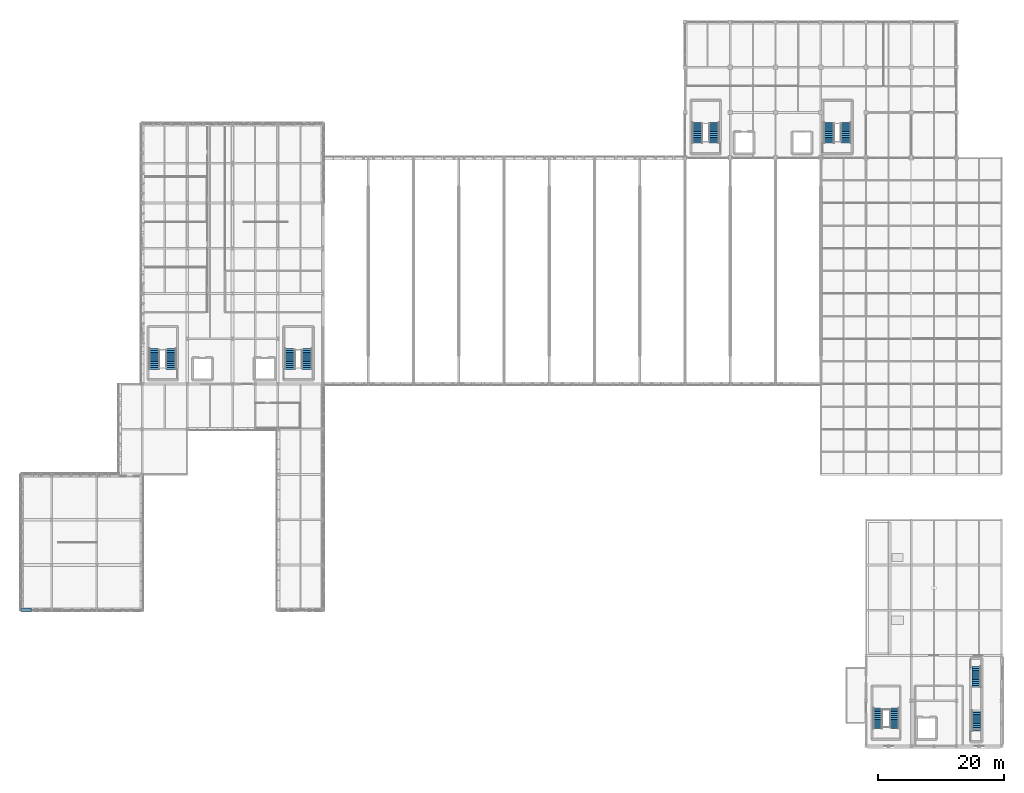
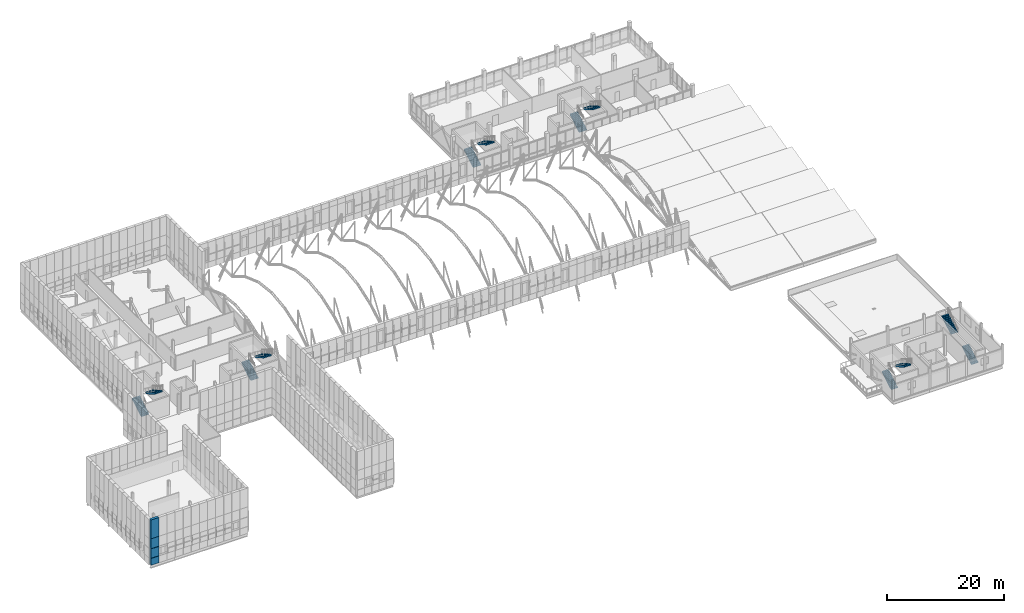
# One storey, part 106 of 144: 12 stair flights, 4 discrete accessories, 6 elements without a shape of their own.
"""IFC4 building model written with IfcOpenShell, lengths in metres."""

from ifc_helpers import new_model, si_unit, direction, frame, origin, origin_2d, place, context, subcontext, project, spatial, polyline, rectangle, outline, extrude, material, type_object, element, aggregate, save


model = new_model("IFC4")

# Units and contexts
model_context = context("Model", 3, precision=1e-05, world=origin(), true_north=direction((0.0, 1.0)))
body_context = subcontext(model_context, "Body", "Model", "MODEL_VIEW")
ifc_project = project(units=[si_unit("LENGTHUNIT", "METRE"), si_unit("AREAUNIT", "SQUARE_METRE"), si_unit("VOLUMEUNIT", "CUBIC_METRE"), si_unit("PLANEANGLEUNIT", "RADIAN"), si_unit("MASSUNIT", "GRAM", prefix="KILO")], contexts=[model_context])

# Site, building, storey
site_placement = place(None, origin())
site = spatial("IfcSite", under=ifc_project, at=site_placement, CompositionType="ELEMENT")
building_placement = place(site_placement, origin())
building = spatial("IfcBuilding", under=site, at=building_placement, Name="Yarey Park Central Fire Station", CompositionType="ELEMENT")
storey_placement = place(building_placement, frame((0.0, 0.0, 10.199951171875)))
storey = spatial("IfcBuildingStorey", under=building, at=storey_placement, Name="L03", CompositionType="ELEMENT", Elevation=10.199951171875)

# Stair, stair flights
ifc_material_1 = material(Name="Concrete C40/50", Category="concrete")
stair_type_1 = type_object("IfcStairType", Name="INT_ST_2RUN_130_H42", PredefinedType="USERDEFINED", material=ifc_material_1)
stair_1_placement = place(storey_placement, origin())
stair_1 = element("IfcStair", 1, at=stair_1_placement, inside=storey, type_object=stair_type_1, Name="Exit Stair ST-5 L03", ObjectType="TWO_RUN_STAIR", PredefinedType="USERDEFINED")
stair_flight_type_1 = type_object("IfcStairFlightType", Name="INT_FLT_130_12", PredefinedType="STRAIGHT", material=ifc_material_1)
stair_flight_1_placement = place(storey_placement, frame((145.89990234375, 2.75, 0.0), z_axis=(0.0, 0.0, 1.0), x_axis=(0.0, 1.0, 0.0)))
stair_flight_1 = element("IfcStairFlight", 2, at=stair_flight_1_placement, type_object=stair_flight_type_1, Name="STAIR_C5_L03_F1", NumberOfRisers=12, NumberOfTreads=11, PredefinedType="STRAIGHT", RiserHeight=0.175, TreadLength=0.3, context=body_context, shape_type="SweptSolid", body=[
    extrude(outline(polyline([(0.0, 0.0), (0.0, 0.175048828125), (0.300048828125, 0.175048828125), (0.300048828125, 0.35009765625), (0.60009765625, 0.35009765625), (0.60009765625, 0.52490234375), (0.89990234375, 0.52490234375), (0.89990234375, 0.699951171875), (1.199951171875, 0.699951171875), (1.199951171875, 0.875), (1.5, 0.875), (1.5, 1.050048828125), (1.800048828125, 1.050048828125), (1.800048828125, 1.22509765625), (2.10009765625, 1.22509765625), (2.10009765625, 1.39990234375), (2.39990234375, 1.39990234375), (2.39990234375, 1.574951171875), (2.699951171875, 1.574951171875), (2.699951171875, 1.75), (3.0, 1.75), (3.0, 1.925048828125), (3.300048828125, 1.925048828125), (3.300048828125, 2.10009765625), (3.300048828125, 1.67041015625), (0.4365234375, 0.0), (0.0, 0.0)])), frame((0.0, 0.64990234375, 0.0), z_axis=(0.0, -1.0, 0.0), x_axis=(1.0, 0.0, 0.0)), (0.0, 0.0, 1.0), 1.300048828125),
])
stair_flight_2_placement = place(storey_placement, frame((148.5, 6.050048828125, 2.10009765625), z_axis=(0.0, 0.0, 1.0), x_axis=(0.0, -1.0, 0.0)))
stair_flight_2 = element("IfcStairFlight", 3, at=stair_flight_2_placement, type_object=stair_flight_type_1, Name="STAIR_C5_L03_F2", NumberOfRisers=12, NumberOfTreads=11, PredefinedType="STRAIGHT", RiserHeight=0.175, TreadLength=0.3, context=body_context, shape_type="SweptSolid", body=[
    extrude(outline(polyline([(0.0, 0.0), (0.0, 0.175048828125), (0.300048828125, 0.175048828125), (0.300048828125, 0.35009765625), (0.60009765625, 0.35009765625), (0.60009765625, 0.52490234375), (0.89990234375, 0.52490234375), (0.89990234375, 0.699951171875), (1.199951171875, 0.699951171875), (1.199951171875, 0.875), (1.5, 0.875), (1.5, 1.050048828125), (1.800048828125, 1.050048828125), (1.800048828125, 1.22509765625), (2.10009765625, 1.22509765625), (2.10009765625, 1.39990234375), (2.39990234375, 1.39990234375), (2.39990234375, 1.574951171875), (2.699951171875, 1.574951171875), (2.699951171875, 1.75), (3.0, 1.75), (3.0, 1.925048828125), (3.300048828125, 1.925048828125), (3.300048828125, 2.10009765625), (3.300048828125, 1.67041015625), (0.4365234375, 0.0), (0.0, 0.0)])), frame((0.0, 0.64990234375, 0.0), z_axis=(0.0, -1.0, 0.0), x_axis=(1.0, 0.0, 0.0)), (0.0, 0.0, 1.0), 1.300048828125),
])
aggregate(stair_1, [stair_flight_1, stair_flight_2])

stair_type_2 = type_object("IfcStairType", Name="INT_ST_1RUN_130_H42", PredefinedType="STRAIGHT_RUN_STAIR", material=ifc_material_1)
stair_2_placement = place(storey_placement, origin())
stair_2 = element("IfcStair", 4, at=stair_2_placement, inside=storey, type_object=stair_type_2, Name="Exit Stair ST-6 L03", PredefinedType="STRAIGHT_RUN_STAIR")
stair_flight_3_placement = place(storey_placement, frame((161.550048828125, 2.35009765625, 0.0), z_axis=(0.0, 0.0, 1.0), x_axis=(0.0, 1.0, 0.0)))
stair_flight_3 = element("IfcStairFlight", 5, at=stair_flight_3_placement, type_object=stair_flight_type_1, Name="STAIR_C6_L03_F1", NumberOfRisers=12, NumberOfTreads=11, PredefinedType="STRAIGHT", RiserHeight=0.175, TreadLength=0.3, context=body_context, shape_type="SweptSolid", body=[
    extrude(outline(polyline([(0.0, 0.0), (0.0, 0.175048828125), (0.300048828125, 0.175048828125), (0.300048828125, 0.35009765625), (0.60009765625, 0.35009765625), (0.60009765625, 0.52490234375), (0.89990234375, 0.52490234375), (0.89990234375, 0.699951171875), (1.199951171875, 0.699951171875), (1.199951171875, 0.875), (1.5, 0.875), (1.5, 1.050048828125), (1.800048828125, 1.050048828125), (1.800048828125, 1.22509765625), (2.10009765625, 1.22509765625), (2.10009765625, 1.39990234375), (2.39990234375, 1.39990234375), (2.39990234375, 1.574951171875), (2.699951171875, 1.574951171875), (2.699951171875, 1.75), (3.0, 1.75), (3.0, 1.925048828125), (3.300048828125, 1.925048828125), (3.300048828125, 2.10009765625), (3.300048828125, 1.67041015625), (0.4365234375, 0.0), (0.0, 0.0)])), frame((0.0, 0.64990234375, 0.0), z_axis=(0.0, -1.0, 0.0), x_axis=(1.0, 0.0, 0.0)), (0.0, 0.0, 1.0), 1.300048828125),
])
stair_flight_4_placement = place(storey_placement, frame((161.550048828125, 9.35009765625, 2.10009765625), z_axis=(0.0, 0.0, 1.0), x_axis=(0.0, 1.0, 0.0)))
stair_flight_4 = element("IfcStairFlight", 6, at=stair_flight_4_placement, type_object=stair_flight_type_1, Name="STAIR_C6_L03_F2", NumberOfRisers=12, NumberOfTreads=11, PredefinedType="STRAIGHT", RiserHeight=0.175, TreadLength=0.3, context=body_context, shape_type="SweptSolid", body=[
    extrude(outline(polyline([(0.0, 0.0), (0.0, 0.175048828125), (0.300048828125, 0.175048828125), (0.300048828125, 0.35009765625), (0.60009765625, 0.35009765625), (0.60009765625, 0.52490234375), (0.89990234375, 0.52490234375), (0.89990234375, 0.699951171875), (1.199951171875, 0.699951171875), (1.199951171875, 0.875), (1.5, 0.875), (1.5, 1.050048828125), (1.800048828125, 1.050048828125), (1.800048828125, 1.22509765625), (2.10009765625, 1.22509765625), (2.10009765625, 1.39990234375), (2.39990234375, 1.39990234375), (2.39990234375, 1.574951171875), (2.699951171875, 1.574951171875), (2.699951171875, 1.75), (3.0, 1.75), (3.0, 1.925048828125), (3.300048828125, 1.925048828125), (3.300048828125, 2.10009765625), (3.300048828125, 1.67041015625), (0.4365234375, 0.0), (0.0, 0.0)])), frame((0.0, 0.64990234375, 0.0), z_axis=(0.0, -1.0, 0.0), x_axis=(1.0, 0.0, 0.0)), (0.0, 0.0, 1.0), 1.300048828125),
])
aggregate(stair_2, [stair_flight_3, stair_flight_4])

stair_type_3 = type_object("IfcStairType", Name="INT_ST_2RUN_150_H42", PredefinedType="USERDEFINED", material=ifc_material_1)
stair_3_placement = place(storey_placement, origin())
stair_3 = element("IfcStair", 7, at=stair_3_placement, inside=storey, type_object=stair_type_3, Name="Exit Stair ST-1 L03", ObjectType="TWO_RUN_STAIR", PredefinedType="USERDEFINED")
stair_flight_type_2 = type_object("IfcStairFlightType", Name="INT_FLT_150_12", PredefinedType="STRAIGHT", material=ifc_material_1)
stair_flight_5_placement = place(storey_placement, frame((117.199951171875, 95.949951171875, 0.0), z_axis=(0.0, 0.0, 1.0), x_axis=(0.0, 1.0, 0.0)))
stair_flight_5 = element("IfcStairFlight", 8, at=stair_flight_5_placement, type_object=stair_flight_type_2, Name="STAIR_C1_L03_F1", NumberOfRisers=12, NumberOfTreads=11, PredefinedType="STRAIGHT", RiserHeight=0.175, TreadLength=0.3, context=body_context, shape_type="SweptSolid", body=[
    extrude(outline(polyline([(0.0, 0.0), (0.0, 0.175048828125), (0.300048828125, 0.175048828125), (0.300048828125, 0.35009765625), (0.60009765625, 0.35009765625), (0.60009765625, 0.52490234375), (0.89990234375, 0.52490234375), (0.89990234375, 0.699951171875), (1.199951171875, 0.699951171875), (1.199951171875, 0.875), (1.5, 0.875), (1.5, 1.050048828125), (1.800048828125, 1.050048828125), (1.800048828125, 1.22509765625), (2.10009765625, 1.22509765625), (2.10009765625, 1.39990234375), (2.39990234375, 1.39990234375), (2.39990234375, 1.574951171875), (2.699951171875, 1.574951171875), (2.699951171875, 1.75), (3.0, 1.75), (3.0, 1.925048828125), (3.300048828125, 1.925048828125), (3.300048828125, 2.10009765625), (3.300048828125, 1.67041015625), (0.4365234375, 0.0), (0.0, 0.0)])), frame((0.0, 0.75, 0.0), z_axis=(0.0, -1.0, 0.0), x_axis=(1.0, 0.0, 0.0)), (0.0, 0.0, 1.0), 1.5),
])
stair_flight_6_placement = place(storey_placement, frame((119.800048828125, 99.25, 2.10009765625), z_axis=(0.0, 0.0, 1.0), x_axis=(0.0, -1.0, 0.0)))
stair_flight_6 = element("IfcStairFlight", 9, at=stair_flight_6_placement, type_object=stair_flight_type_2, Name="STAIR_C1_L03_F2", NumberOfRisers=12, NumberOfTreads=11, PredefinedType="STRAIGHT", RiserHeight=0.175, TreadLength=0.3, context=body_context, shape_type="SweptSolid", body=[
    extrude(outline(polyline([(0.0, 0.0), (0.0, 0.175048828125), (0.300048828125, 0.175048828125), (0.300048828125, 0.35009765625), (0.60009765625, 0.35009765625), (0.60009765625, 0.52490234375), (0.89990234375, 0.52490234375), (0.89990234375, 0.699951171875), (1.199951171875, 0.699951171875), (1.199951171875, 0.875), (1.5, 0.875), (1.5, 1.050048828125), (1.800048828125, 1.050048828125), (1.800048828125, 1.22509765625), (2.10009765625, 1.22509765625), (2.10009765625, 1.39990234375), (2.39990234375, 1.39990234375), (2.39990234375, 1.574951171875), (2.699951171875, 1.574951171875), (2.699951171875, 1.75), (3.0, 1.75), (3.0, 1.925048828125), (3.300048828125, 1.925048828125), (3.300048828125, 2.10009765625), (3.300048828125, 1.67041015625), (0.4365234375, 0.0), (0.0, 0.0)])), frame((0.0, 0.75, 0.0), z_axis=(0.0, -1.0, 0.0), x_axis=(1.0, 0.0, 0.0)), (0.0, 0.0, 1.0), 1.5),
])
aggregate(stair_3, [stair_flight_5, stair_flight_6])

stair_4_placement = place(storey_placement, origin())
stair_4 = element("IfcStair", 10, at=stair_4_placement, inside=storey, type_object=stair_type_3, Name="Exit Stair ST-2 L03", ObjectType="TWO_RUN_STAIR", PredefinedType="USERDEFINED")
stair_flight_7_placement = place(storey_placement, frame((138.14990234375, 95.949951171875, 0.0), z_axis=(0.0, 0.0, 1.0), x_axis=(0.0, 1.0, 0.0)))
stair_flight_7 = element("IfcStairFlight", 11, at=stair_flight_7_placement, type_object=stair_flight_type_2, Name="STAIR_C2_L03_F1", NumberOfRisers=12, NumberOfTreads=11, PredefinedType="STRAIGHT", RiserHeight=0.175, TreadLength=0.3, context=body_context, shape_type="SweptSolid", body=[
    extrude(outline(polyline([(0.0, 0.0), (0.0, 0.175048828125), (0.300048828125, 0.175048828125), (0.300048828125, 0.35009765625), (0.60009765625, 0.35009765625), (0.60009765625, 0.52490234375), (0.89990234375, 0.52490234375), (0.89990234375, 0.699951171875), (1.199951171875, 0.699951171875), (1.199951171875, 0.875), (1.5, 0.875), (1.5, 1.050048828125), (1.800048828125, 1.050048828125), (1.800048828125, 1.22509765625), (2.10009765625, 1.22509765625), (2.10009765625, 1.39990234375), (2.39990234375, 1.39990234375), (2.39990234375, 1.574951171875), (2.699951171875, 1.574951171875), (2.699951171875, 1.75), (3.0, 1.75), (3.0, 1.925048828125), (3.300048828125, 1.925048828125), (3.300048828125, 2.10009765625), (3.300048828125, 1.67041015625), (0.4365234375, 0.0), (0.0, 0.0)])), frame((0.0, 0.75, 0.0), z_axis=(0.0, -1.0, 0.0), x_axis=(1.0, 0.0, 0.0)), (0.0, 0.0, 1.0), 1.5),
])
stair_flight_8_placement = place(storey_placement, frame((140.75, 99.25, 2.10009765625), z_axis=(0.0, 0.0, 1.0), x_axis=(0.0, -1.0, 0.0)))
stair_flight_8 = element("IfcStairFlight", 12, at=stair_flight_8_placement, type_object=stair_flight_type_2, Name="STAIR_C2_L03_F2", NumberOfRisers=12, NumberOfTreads=11, PredefinedType="STRAIGHT", RiserHeight=0.175, TreadLength=0.3, context=body_context, shape_type="SweptSolid", body=[
    extrude(outline(polyline([(0.0, 0.0), (0.0, 0.175048828125), (0.300048828125, 0.175048828125), (0.300048828125, 0.35009765625), (0.60009765625, 0.35009765625), (0.60009765625, 0.52490234375), (0.89990234375, 0.52490234375), (0.89990234375, 0.699951171875), (1.199951171875, 0.699951171875), (1.199951171875, 0.875), (1.5, 0.875), (1.5, 1.050048828125), (1.800048828125, 1.050048828125), (1.800048828125, 1.22509765625), (2.10009765625, 1.22509765625), (2.10009765625, 1.39990234375), (2.39990234375, 1.39990234375), (2.39990234375, 1.574951171875), (2.699951171875, 1.574951171875), (2.699951171875, 1.75), (3.0, 1.75), (3.0, 1.925048828125), (3.300048828125, 1.925048828125), (3.300048828125, 2.10009765625), (3.300048828125, 1.67041015625), (0.4365234375, 0.0), (0.0, 0.0)])), frame((0.0, 0.75, 0.0), z_axis=(0.0, -1.0, 0.0), x_axis=(1.0, 0.0, 0.0)), (0.0, 0.0, 1.0), 1.5),
])
aggregate(stair_4, [stair_flight_7, stair_flight_8])

stair_5_placement = place(storey_placement, origin())
stair_5 = element("IfcStair", 13, at=stair_5_placement, inside=storey, type_object=stair_type_3, Name="Exit Stair ST-3 L03", ObjectType="TWO_RUN_STAIR", PredefinedType="USERDEFINED")
stair_flight_9_placement = place(storey_placement, frame((30.800048828125, 59.949951171875, 0.0), z_axis=(0.0, 0.0, 1.0), x_axis=(0.0, 1.0, 0.0)))
stair_flight_9 = element("IfcStairFlight", 14, at=stair_flight_9_placement, type_object=stair_flight_type_2, Name="STAIR_C3_L03_F1", NumberOfRisers=12, NumberOfTreads=11, PredefinedType="STRAIGHT", RiserHeight=0.175, TreadLength=0.3, context=body_context, shape_type="SweptSolid", body=[
    extrude(outline(polyline([(0.0, 0.0), (0.0, 0.175048828125), (0.300048828125, 0.175048828125), (0.300048828125, 0.35009765625), (0.60009765625, 0.35009765625), (0.60009765625, 0.52490234375), (0.89990234375, 0.52490234375), (0.89990234375, 0.699951171875), (1.199951171875, 0.699951171875), (1.199951171875, 0.875), (1.5, 0.875), (1.5, 1.050048828125), (1.800048828125, 1.050048828125), (1.800048828125, 1.22509765625), (2.10009765625, 1.22509765625), (2.10009765625, 1.39990234375), (2.39990234375, 1.39990234375), (2.39990234375, 1.574951171875), (2.699951171875, 1.574951171875), (2.699951171875, 1.75), (3.0, 1.75), (3.0, 1.925048828125), (3.300048828125, 1.925048828125), (3.300048828125, 2.10009765625), (3.300048828125, 1.67041015625), (0.4365234375, 0.0), (0.0, 0.0)])), frame((0.0, 0.75, 0.0), z_axis=(0.0, -1.0, 0.0), x_axis=(1.0, 0.0, 0.0)), (0.0, 0.0, 1.0), 1.5),
])
stair_flight_10_placement = place(storey_placement, frame((33.39990234375, 63.25, 2.10009765625), z_axis=(0.0, 0.0, 1.0), x_axis=(0.0, -1.0, 0.0)))
stair_flight_10 = element("IfcStairFlight", 15, at=stair_flight_10_placement, type_object=stair_flight_type_2, Name="STAIR_C3_L03_F2", NumberOfRisers=12, NumberOfTreads=11, PredefinedType="STRAIGHT", RiserHeight=0.175, TreadLength=0.3, context=body_context, shape_type="SweptSolid", body=[
    extrude(outline(polyline([(0.0, 0.0), (0.0, 0.175048828125), (0.300048828125, 0.175048828125), (0.300048828125, 0.35009765625), (0.60009765625, 0.35009765625), (0.60009765625, 0.52490234375), (0.89990234375, 0.52490234375), (0.89990234375, 0.699951171875), (1.199951171875, 0.699951171875), (1.199951171875, 0.875), (1.5, 0.875), (1.5, 1.050048828125), (1.800048828125, 1.050048828125), (1.800048828125, 1.22509765625), (2.10009765625, 1.22509765625), (2.10009765625, 1.39990234375), (2.39990234375, 1.39990234375), (2.39990234375, 1.574951171875), (2.699951171875, 1.574951171875), (2.699951171875, 1.75), (3.0, 1.75), (3.0, 1.925048828125), (3.300048828125, 1.925048828125), (3.300048828125, 2.10009765625), (3.300048828125, 1.67041015625), (0.4365234375, 0.0), (0.0, 0.0)])), frame((0.0, 0.75, 0.0), z_axis=(0.0, -1.0, 0.0), x_axis=(1.0, 0.0, 0.0)), (0.0, 0.0, 1.0), 1.5),
])
aggregate(stair_5, [stair_flight_9, stair_flight_10])

stair_6_placement = place(storey_placement, origin())
stair_6 = element("IfcStair", 16, at=stair_6_placement, inside=storey, type_object=stair_type_3, Name="Exit Stair ST-4 L03", ObjectType="TWO_RUN_STAIR", PredefinedType="USERDEFINED")
stair_flight_11_placement = place(storey_placement, frame((52.39990234375, 59.949951171875, 0.0), z_axis=(0.0, 0.0, 1.0), x_axis=(0.0, 1.0, 0.0)))
stair_flight_11 = element("IfcStairFlight", 17, at=stair_flight_11_placement, type_object=stair_flight_type_2, Name="STAIR_C4_L03_F1", NumberOfRisers=12, NumberOfTreads=11, PredefinedType="STRAIGHT", RiserHeight=0.175, TreadLength=0.3, context=body_context, shape_type="SweptSolid", body=[
    extrude(outline(polyline([(0.0, 0.0), (0.0, 0.175048828125), (0.300048828125, 0.175048828125), (0.300048828125, 0.35009765625), (0.60009765625, 0.35009765625), (0.60009765625, 0.52490234375), (0.89990234375, 0.52490234375), (0.89990234375, 0.699951171875), (1.199951171875, 0.699951171875), (1.199951171875, 0.875), (1.5, 0.875), (1.5, 1.050048828125), (1.800048828125, 1.050048828125), (1.800048828125, 1.22509765625), (2.10009765625, 1.22509765625), (2.10009765625, 1.39990234375), (2.39990234375, 1.39990234375), (2.39990234375, 1.574951171875), (2.699951171875, 1.574951171875), (2.699951171875, 1.75), (3.0, 1.75), (3.0, 1.925048828125), (3.300048828125, 1.925048828125), (3.300048828125, 2.10009765625), (3.300048828125, 1.67041015625), (0.4365234375, 0.0), (0.0, 0.0)])), frame((0.0, 0.75, 0.0), z_axis=(0.0, -1.0, 0.0), x_axis=(1.0, 0.0, 0.0)), (0.0, 0.0, 1.0), 1.5),
])
stair_flight_12_placement = place(storey_placement, frame((55.0, 63.25, 2.10009765625), z_axis=(0.0, 0.0, 1.0), x_axis=(0.0, -1.0, 0.0)))
stair_flight_12 = element("IfcStairFlight", 18, at=stair_flight_12_placement, type_object=stair_flight_type_2, Name="STAIR_C4_L03_F2", NumberOfRisers=12, NumberOfTreads=11, PredefinedType="STRAIGHT", RiserHeight=0.175, TreadLength=0.3, context=body_context, shape_type="SweptSolid", body=[
    extrude(outline(polyline([(0.0, 0.0), (0.0, 0.175048828125), (0.300048828125, 0.175048828125), (0.300048828125, 0.35009765625), (0.60009765625, 0.35009765625), (0.60009765625, 0.52490234375), (0.89990234375, 0.52490234375), (0.89990234375, 0.699951171875), (1.199951171875, 0.699951171875), (1.199951171875, 0.875), (1.5, 0.875), (1.5, 1.050048828125), (1.800048828125, 1.050048828125), (1.800048828125, 1.22509765625), (2.10009765625, 1.22509765625), (2.10009765625, 1.39990234375), (2.39990234375, 1.39990234375), (2.39990234375, 1.574951171875), (2.699951171875, 1.574951171875), (2.699951171875, 1.75), (3.0, 1.75), (3.0, 1.925048828125), (3.300048828125, 1.925048828125), (3.300048828125, 2.10009765625), (3.300048828125, 1.67041015625), (0.4365234375, 0.0), (0.0, 0.0)])), frame((0.0, 0.75, 0.0), z_axis=(0.0, -1.0, 0.0), x_axis=(1.0, 0.0, 0.0)), (0.0, 0.0, 1.0), 1.5),
])
aggregate(stair_6, [stair_flight_11, stair_flight_12])

# Discrete accessories
ifc_material_2 = material(Name="Stainless Steel AISI 316L", Category="steel")
discrete_accessory_type = type_object("IfcDiscreteAccessoryType", Name="ENV_BRK_SS1", PredefinedType="BRACKET", material=ifc_material_2)
discrete_accessory_1_placement = place(storey_placement, frame((10.39990234375, 21.64990234375, -0.494873046875), z_axis=(0.0, 0.0, 1.0), x_axis=(1.0, 0.0, 0.0)))
element("IfcDiscreteAccessory", 19, at=discrete_accessory_1_placement, inside=storey, type_object=discrete_accessory_type, Name="BRK_PERF_L03_0103", PredefinedType="BRACKET", context=body_context, shape_type="SweptSolid", body=[
    extrude(rectangle(XDim=1.5400390625, YDim=0.5400390625, at=origin_2d()), origin(), (0.0, 0.0, 1.0), 1.419921875),
])
discrete_accessory_2_placement = place(storey_placement, frame((10.39990234375, 21.64990234375, 0.97509765625), z_axis=(0.0, 0.0, 1.0), x_axis=(1.0, 0.0, 0.0)))
element("IfcDiscreteAccessory", 20, at=discrete_accessory_2_placement, inside=storey, type_object=discrete_accessory_type, Name="BRK_PERF_L03_0104", PredefinedType="BRACKET", context=body_context, shape_type="SweptSolid", body=[
    extrude(rectangle(XDim=1.5400390625, YDim=0.5400390625, at=origin_2d()), origin(), (0.0, 0.0, 1.0), 1.949951171875),
])
discrete_accessory_3_placement = place(storey_placement, frame((10.39990234375, 21.64990234375, 2.97509765625), z_axis=(0.0, 0.0, 1.0), x_axis=(1.0, 0.0, 0.0)))
element("IfcDiscreteAccessory", 21, at=discrete_accessory_3_placement, inside=storey, type_object=discrete_accessory_type, Name="BRK_PERF_L03_0105", PredefinedType="BRACKET", context=body_context, shape_type="SweptSolid", body=[
    extrude(rectangle(XDim=1.5400390625, YDim=0.5400390625, at=origin_2d()), origin(), (0.0, 0.0, 1.0), 2.050048828125),
])
discrete_accessory_4_placement = place(storey_placement, frame((10.39990234375, 21.64990234375, -0.4599609375), z_axis=(0.0, 0.0, 1.0), x_axis=(1.0, 0.0, 0.0)))
element("IfcDiscreteAccessory", 22, at=discrete_accessory_4_placement, inside=storey, type_object=discrete_accessory_type, Name="BRK_RAIL_L03_0107", PredefinedType="BRACKET", context=body_context, shape_type="SweptSolid", body=[
    extrude(rectangle(XDim=1.56005859375, YDim=0.5400390625, at=origin_2d()), origin(), (0.0, 0.0, 1.0), 9.419921875),
])

save(model, "model.ifc")
